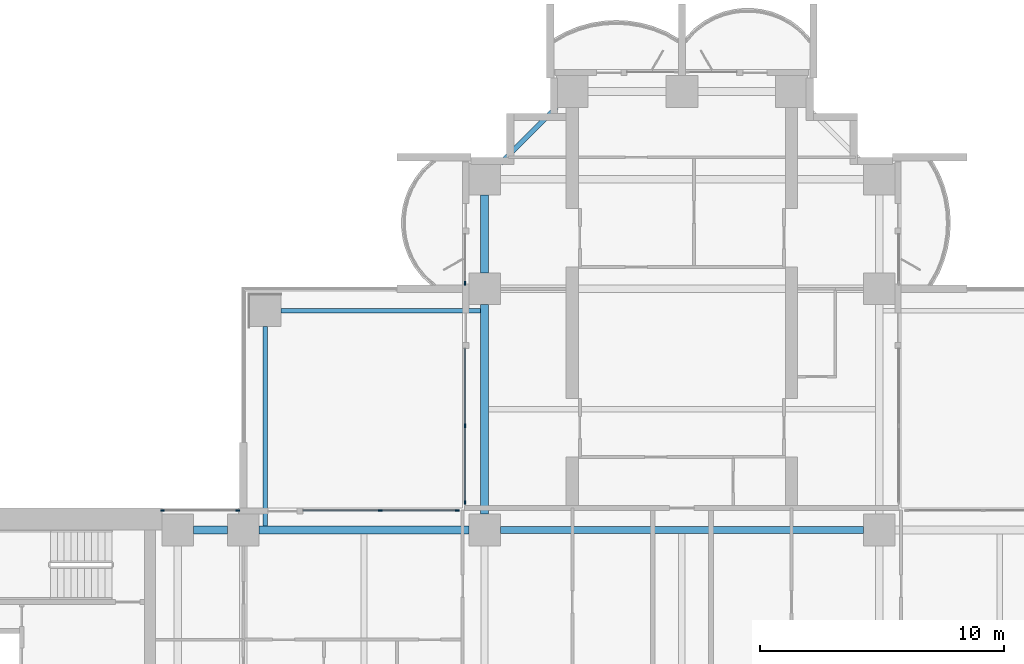
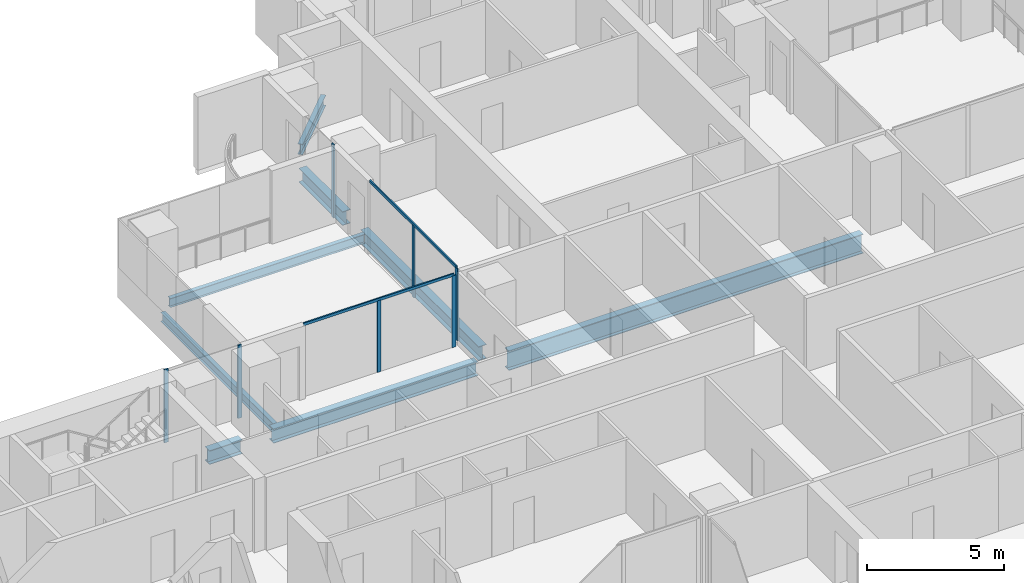
# One storey, part 5 of 20: 9 members, 8 beams, 4 elements without a shape of their own.
"""IFC4 building model written with IfcOpenShell, lengths in metres."""

from ifc_helpers import new_model, si_unit, direction, frame, origin, origin_2d, place, context, subcontext, project, spatial, rectangle, i_section, extrude, material, material_profile, profile_set, type_object, element, aggregate, save


model = new_model("IFC4")

# Units and contexts
model_context = context("Model", 3, precision=1e-05, world=origin(), true_north=direction((0.0, 1.0)))
body_context = subcontext(model_context, "Body", "Model", "MODEL_VIEW")
ifc_project = project(units=[si_unit("LENGTHUNIT", "METRE"), si_unit("AREAUNIT", "SQUARE_METRE"), si_unit("VOLUMEUNIT", "CUBIC_METRE"), si_unit("PLANEANGLEUNIT", "RADIAN"), si_unit("MASSUNIT", "GRAM", prefix="KILO")], contexts=[model_context])

# Site, building, storey
site_placement = place(None, origin())
site = spatial("IfcSite", under=ifc_project, at=site_placement, CompositionType="ELEMENT")
building_placement = place(site_placement, origin())
building = spatial("IfcBuilding", under=site, at=building_placement, Name="Perihelion Cross Residences", CompositionType="ELEMENT")
storey_placement = place(building_placement, frame((0.0, 0.0, 82.0)))
storey = spatial("IfcBuildingStorey", under=building, at=storey_placement, Name="L18", CompositionType="ELEMENT", Elevation=82.0)

# Curtain wall, member
ifc_material_1 = material(Name="Bronze anodised aluminium, tinted glazing", Category="aluminium")
curtain_wall_type = type_object("IfcCurtainWallType", Name="CW1", PredefinedType="NOTDEFINED", material=ifc_material_1)
curtain_wall_1_placement = place(storey_placement, origin())
curtain_wall_1 = element("IfcCurtainWall", 1, at=curtain_wall_1_placement, inside=storey, type_object=curtain_wall_type, Name="Curtain wall CW1 L18 north side west bay 1", PredefinedType="NOTDEFINED")
ifc_material_2 = material(Name="Bronze anodised aluminium", Category="aluminium")
ifc_material_profile_1 = material_profile(ifc_material_2, rectangle(XDim=0.06005859375, YDim=0.159912109375, at=origin_2d()), Name="CW1 mullion")
ifc_profile_set_1 = profile_set([ifc_material_profile_1], Name="Bronze anodised aluminium")
member_type_1 = type_object("IfcMemberType", Name="CW1 mullion", PredefinedType="MULLION", material=ifc_profile_set_1)
member_1_placement = place(storey_placement, frame((-8.89990234375, 18.22998046875, 0.0), z_axis=(0.0, 0.0, 1.0), x_axis=(1.0, 0.0, 0.0)))
member_1 = element("IfcMember", 2, at=member_1_placement, type_object=member_type_1, Name="CW1 mullion 2", PredefinedType="MULLION", context=body_context, shape_type="SweptSolid", body=[
    extrude(rectangle(XDim=0.06005859375, YDim=0.159912109375, at=origin_2d()), origin(), (0.0, 0.0, 1.0), 3.25),
])
aggregate(curtain_wall_1, [member_1])

# Curtain wall, members
curtain_wall_2_placement = place(storey_placement, origin())
curtain_wall_2 = element("IfcCurtainWall", 3, at=curtain_wall_2_placement, inside=storey, type_object=curtain_wall_type, Name="Curtain wall CW1 L18 north side west bay 2", PredefinedType="NOTDEFINED")
member_2_placement = place(storey_placement, frame((-8.89990234375, 12.375, 0.0), z_axis=(0.0, 0.0, 1.0), x_axis=(1.0, 0.0, 0.0)))
member_2 = element("IfcMember", 4, at=member_2_placement, type_object=member_type_1, Name="CW1 mullion 2", PredefinedType="MULLION", context=body_context, shape_type="SweptSolid", body=[
    extrude(rectangle(XDim=0.06005859375, YDim=0.159912109375, at=origin_2d()), origin(), (0.0, 0.0, 1.0), 3.18994140625),
])
member_3_placement = place(storey_placement, frame((-8.89990234375, 9.22998046875, 0.0), z_axis=(0.0, 0.0, 1.0), x_axis=(1.0, 0.0, 0.0)))
member_3 = element("IfcMember", 5, at=member_3_placement, type_object=member_type_1, Name="CW1 mullion 3", PredefinedType="MULLION", context=body_context, shape_type="SweptSolid", body=[
    extrude(rectangle(XDim=0.06005859375, YDim=0.159912109375, at=origin_2d()), origin(), (0.0, 0.0, 1.0), 3.18994140625),
])

curtain_wall_3_placement = place(storey_placement, origin())
curtain_wall_3 = element("IfcCurtainWall", 6, at=curtain_wall_3_placement, inside=storey, type_object=curtain_wall_type, Name="Curtain wall CW1 L18 west side north bay 1", PredefinedType="NOTDEFINED")
member_4_placement = place(storey_placement, frame((-9.22998046875, 8.89990234375, 0.0), z_axis=(0.0, 0.0, 1.0), x_axis=(0.0, -1.0, 0.0)))
member_4 = element("IfcMember", 7, at=member_4_placement, type_object=member_type_1, Name="CW1 mullion 1", PredefinedType="MULLION", context=body_context, shape_type="SweptSolid", body=[
    extrude(rectangle(XDim=0.06005859375, YDim=0.159912109375, at=origin_2d()), origin(), (0.0, 0.0, 1.0), 3.18994140625),
])
member_5_placement = place(storey_placement, frame((-12.375, 8.89990234375, 0.0), z_axis=(0.0, 0.0, 1.0), x_axis=(0.0, -1.0, 0.0)))
member_5 = element("IfcMember", 8, at=member_5_placement, type_object=member_type_1, Name="CW1 mullion 2", PredefinedType="MULLION", context=body_context, shape_type="SweptSolid", body=[
    extrude(rectangle(XDim=0.06005859375, YDim=0.159912109375, at=origin_2d()), origin(), (0.0, 0.0, 1.0), 3.18994140625),
])

curtain_wall_4_placement = place(storey_placement, origin())
curtain_wall_4 = element("IfcCurtainWall", 9, at=curtain_wall_4_placement, inside=storey, type_object=curtain_wall_type, Name="Curtain wall CW1 L18 west side north bay 2", PredefinedType="NOTDEFINED")
member_6_placement = place(storey_placement, frame((-18.22998046875, 8.89990234375, 0.0), z_axis=(0.0, 0.0, 1.0), x_axis=(0.0, -1.0, 0.0)))
member_6 = element("IfcMember", 10, at=member_6_placement, type_object=member_type_1, Name="CW1 mullion 1", PredefinedType="MULLION", context=body_context, shape_type="SweptSolid", body=[
    extrude(rectangle(XDim=0.06005859375, YDim=0.159912109375, at=origin_2d()), origin(), (0.0, 0.0, 1.0), 3.25),
])
member_7_placement = place(storey_placement, frame((-21.320068359375, 8.89990234375, 0.0), z_axis=(0.0, 0.0, 1.0), x_axis=(0.0, -1.0, 0.0)))
member_7 = element("IfcMember", 11, at=member_7_placement, type_object=member_type_1, Name="CW1 mullion 2", PredefinedType="MULLION", context=body_context, shape_type="SweptSolid", body=[
    extrude(rectangle(XDim=0.06005859375, YDim=0.159912109375, at=origin_2d()), origin(), (0.0, 0.0, 1.0), 3.25),
])
aggregate(curtain_wall_4, [member_6, member_7])

# Member
ifc_material_3 = material(Name="Bronze anodised aluminium", Category="aluminium")
ifc_material_profile_2 = material_profile(ifc_material_3, rectangle(XDim=0.06005859375, YDim=0.1201171875, at=origin_2d()), Name="CW1 transom")
ifc_profile_set_2 = profile_set([ifc_material_profile_2], Name="Bronze anodised aluminium")
member_type_2 = type_object("IfcMemberType", Name="CW1 transom", PredefinedType="USERDEFINED", material=ifc_profile_set_2)
member_8_placement = place(storey_placement, frame((-8.89990234375, 15.550048828125, 3.219970703125), z_axis=(0.0, -1.0, 0.0), x_axis=(1.0, 0.0, 0.0)))
member_8 = element("IfcMember", 12, at=member_8_placement, type_object=member_type_2, Name="CW1 head transom", ObjectType="TRANSOM", PredefinedType="USERDEFINED", context=body_context, shape_type="SweptSolid", body=[
    extrude(rectangle(XDim=0.06005859375, YDim=0.1201171875, at=origin_2d()), origin(), (0.0, 0.0, 1.0), 6.320068359375),
])

aggregate(curtain_wall_2, [member_2, member_3, member_8])

member_9_placement = place(storey_placement, frame((-9.22998046875, 8.89990234375, 3.219970703125), z_axis=(-1.0, 0.0, 0.0), x_axis=(0.0, -1.0, 0.0)))
member_9 = element("IfcMember", 13, at=member_9_placement, type_object=member_type_2, Name="CW1 head transom", ObjectType="TRANSOM", PredefinedType="USERDEFINED", context=body_context, shape_type="SweptSolid", body=[
    extrude(rectangle(XDim=0.06005859375, YDim=0.1201171875, at=origin_2d()), origin(), (0.0, 0.0, 1.0), 6.320068359375),
])

aggregate(curtain_wall_3, [member_4, member_5, member_9])

# Beams
ifc_material_4 = material(Name="Steel S355", Category="steel")
ifc_material_profile_3 = material_profile(ifc_material_4, i_section(OverallWidth=0.177978515625, OverallDepth=0.406005859375, WebThickness=0.0078125, FlangeThickness=0.0126953125, at=origin_2d()), Name="W410x60")
ifc_profile_set_3 = profile_set([ifc_material_profile_3], Name="Steel S355")
beam_type_1 = type_object("IfcBeamType", Name="Core edge beam W410x60", PredefinedType="BEAM", material=ifc_profile_set_3)
for number, where, z_axis, x_axis, name in (
    (14, (-17.10009765625, 8.262451171875, -0.452880859375), (0.0, 1.0, 0.0), (-1.0, 0.0, 0.0), "Core edge beam TB2 L18 corner no. 3"),
    (15, (-8.262451171875, 17.10009765625, -0.452880859375), (-1.0, 0.0, 0.0), (0.0, -1.0, 0.0), "Core edge beam TB2 L18 corner no. 4"),
):
    element("IfcBeam", number, at=place(storey_placement, frame(where, z_axis=z_axis, x_axis=x_axis)), inside=storey, type_object=beam_type_1, Name=name, PredefinedType="BEAM", context=body_context, shape_type="SweptSolid", body=[
        extrude(i_section(OverallWidth=0.177978515625, OverallDepth=0.406005859375, WebThickness=0.0078125, FlangeThickness=0.0126953125, at=origin_2d()), origin(), (0.0, 0.0, 1.0), 8.1875),
    ])
ifc_material_5 = material(Name="Steel S355", Category="steel")
ifc_material_profile_4 = material_profile(ifc_material_5, i_section(OverallWidth=0.324951171875, OverallDepth=0.616943359375, WebThickness=0.013916015625, FlangeThickness=0.021484375, at=origin_2d()), Name="W610x174")
ifc_profile_set_4 = profile_set([ifc_material_profile_4], Name="Steel S355")
beam_type_2 = type_object("IfcBeamType", Name="Edge beam W610x174", PredefinedType="SPANDREL", material=ifc_profile_set_4)
beam_1_placement = place(storey_placement, frame((-8.10009765625, 21.85009765625, -0.55859375), z_axis=(0.0, -1.0, 0.0), x_axis=(1.0, 0.0, 0.0)))
element("IfcBeam", 16, at=beam_1_placement, inside=storey, type_object=beam_type_2, Name="Edge beam SB2 L18 no. 8", PredefinedType="SPANDREL", context=body_context, shape_type="SweptSolid", body=[
    extrude(i_section(OverallWidth=0.324951171875, OverallDepth=0.616943359375, WebThickness=0.013916015625, FlangeThickness=0.021484375, at=origin_2d()), origin(), (0.0, 0.0, 1.0), 3.2001953125),
])
for number, where, z_axis, x_axis, name in (
    (17, (-8.10009765625, 17.35009765625, -0.55859375), (0.0, -1.0, 0.0), (1.0, 0.0, 0.0), "Edge beam SB2 L18 no. 7"),
    (18, (-8.75, 8.10009765625, -0.55859375), (-1.0, 0.0, 0.0), (0.0, -1.0, 0.0), "Edge beam SB2 L18 no. 9"),
):
    element("IfcBeam", number, at=place(storey_placement, frame(where, z_axis=z_axis, x_axis=x_axis)), inside=storey, type_object=beam_type_2, Name=name, PredefinedType="SPANDREL", context=body_context, shape_type="SweptSolid", body=[
        extrude(i_section(OverallWidth=0.324951171875, OverallDepth=0.616943359375, WebThickness=0.013916015625, FlangeThickness=0.021484375, at=origin_2d()), origin(), (0.0, 0.0, 1.0), 8.60009765625),
    ])
beam_2_placement = place(storey_placement, frame((-18.64990234375, 8.10009765625, -0.55859375), z_axis=(-1.0, 0.0, 0.0), x_axis=(0.0, -1.0, 0.0)))
element("IfcBeam", 19, at=beam_2_placement, inside=storey, type_object=beam_type_2, Name="Edge beam SB2 L18 no. 2", PredefinedType="SPANDREL", context=body_context, shape_type="SweptSolid", body=[
    extrude(i_section(OverallWidth=0.324951171875, OverallDepth=0.616943359375, WebThickness=0.013916015625, FlangeThickness=0.021484375, at=origin_2d()), origin(), (0.0, 0.0, 1.0), 1.400146484375),
])
ifc_material_6 = material(Name="Steel S355", Category="steel")
ifc_material_profile_5 = material_profile(ifc_material_6, i_section(OverallWidth=0.2919921875, OverallDepth=0.85888671875, WebThickness=0.01708984375, FlangeThickness=0.031005859375, at=origin_2d()), Name="W840x251")
ifc_profile_set_5 = profile_set([ifc_material_profile_5], Name="Steel S355")
beam_type_3 = type_object("IfcBeamType", Name="Hub ring girder W840x251", PredefinedType="BEAM", material=ifc_profile_set_5)
beam_3_placement = place(storey_placement, frame((7.449951171875, 8.10009765625, -0.679443359375), z_axis=(-1.0, 0.0, 0.0), x_axis=(0.0, -1.0, 0.0)))
element("IfcBeam", 20, at=beam_3_placement, inside=storey, type_object=beam_type_3, Name="Hub ring girder RG2 L18 no. 4", PredefinedType="BEAM", context=body_context, shape_type="SweptSolid", body=[
    extrude(i_section(OverallWidth=0.2919921875, OverallDepth=0.85888671875, WebThickness=0.01708984375, FlangeThickness=0.031005859375, at=origin_2d()), origin(), (0.0, 0.0, 1.0), 14.89990234375),
])
ifc_material_7 = material(Name="Steel S355", Category="steel")
ifc_material_profile_6 = material_profile(ifc_material_7, i_section(OverallWidth=0.194091796875, OverallDepth=0.469970703125, WebThickness=0.0126953125, FlangeThickness=0.0205078125, at=origin_2d()), Name="W460x106")
ifc_profile_set_6 = profile_set([ifc_material_profile_6], Name="Steel S355")
beam_type_4 = type_object("IfcBeamType", Name="Serration edge beam W460x106", PredefinedType="BEAM", material=ifc_profile_set_6)
beam_4_placement = place(storey_placement, frame((-5.14990234375, 25.449951171875, -0.485107421875), z_axis=(-0.707106781187, -0.707106781187, 0.0), x_axis=(0.707106781187, -0.707106781187, 0.0)))
element("IfcBeam", 21, at=beam_4_placement, inside=storey, type_object=beam_type_4, Name="Serration edge beam EB2 L18 no. 1", PredefinedType="BEAM", context=body_context, shape_type="SweptSolid", body=[
    extrude(i_section(OverallWidth=0.194091796875, OverallDepth=0.469970703125, WebThickness=0.0126953125, FlangeThickness=0.0205078125, at=origin_2d()), origin(), (0.0, 0.0, 1.0), 3.252685546875),
])

save(model, "model.ifc")
